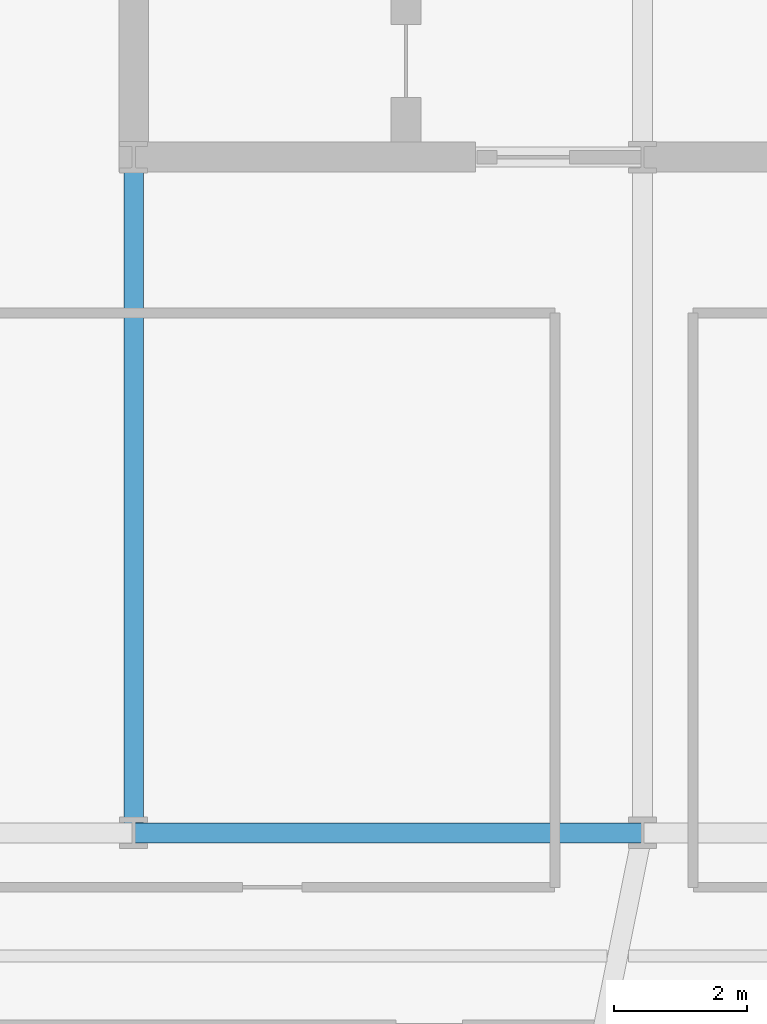
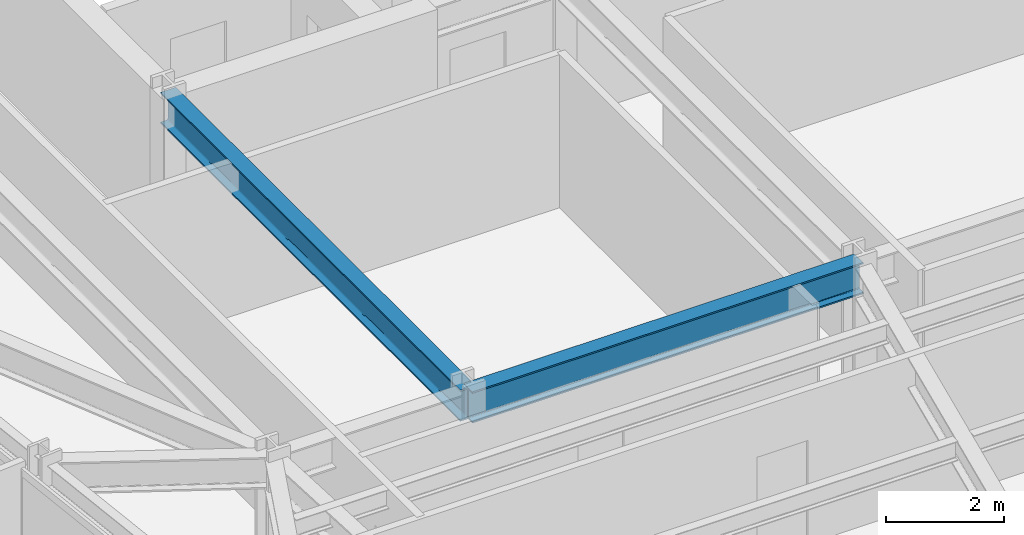
# One storey, part 7 of 32: 2 beams.
"""IFC4 building model written with IfcOpenShell, lengths in metres."""

from ifc_helpers import new_model, si_unit, direction, frame, origin, origin_2d, place, context, subcontext, project, spatial, i_section, extrude, material, material_profile, profile_set, type_object, element, save


model = new_model("IFC4")

# Units and contexts
model_context = context("Model", 3, precision=1e-05, world=origin(), true_north=direction((0.0, 1.0)))
body_context = subcontext(model_context, "Body", "Model", "MODEL_VIEW")
ifc_project = project(units=[si_unit("LENGTHUNIT", "METRE"), si_unit("AREAUNIT", "SQUARE_METRE"), si_unit("VOLUMEUNIT", "CUBIC_METRE"), si_unit("PLANEANGLEUNIT", "RADIAN"), si_unit("MASSUNIT", "GRAM", prefix="KILO")], contexts=[model_context])

# Site, building, storey
site_placement = place(None, origin())
site = spatial("IfcSite", under=ifc_project, at=site_placement, CompositionType="ELEMENT")
building_placement = place(site_placement, origin())
building = spatial("IfcBuilding", under=site, at=building_placement, Name="Yelkora Congress Tower", CompositionType="ELEMENT")
storey_placement = place(building_placement, frame((0.0, 0.0, 99.89990234375)))
storey = spatial("IfcBuildingStorey", under=building, at=storey_placement, Name="L26", CompositionType="ELEMENT", Elevation=99.89990234375)

# Beams
ifc_material = material(Name="Steel S355J2", Category="steel")
ifc_material_profile = material_profile(ifc_material, i_section(OverallWidth=0.300048828125, OverallDepth=0.64990234375, WebThickness=0.01611328125, FlangeThickness=0.031005859375, FilletRadius=0.027099609375, at=origin_2d()), Name="HEB 650")
ifc_profile_set = profile_set([ifc_material_profile], Name="Steel S355J2")
beam_type = type_object("IfcBeamType", Name="BM-GIRD-HEB650", PredefinedType="BEAM", material=ifc_profile_set)
beam_1_placement = place(storey_placement, frame((23.0400390625, 25.199951171875, 2.85498046875), z_axis=(1.0, 0.0, 0.0), x_axis=(0.0, 1.0, 0.0)))
element("IfcBeam", 1, at=beam_1_placement, inside=storey, type_object=beam_type, Name="L26 Spine Grid D Girder 2", PredefinedType="BEAM", context=body_context, shape_type="SweptSolid", body=[
    extrude(i_section(OverallWidth=0.300048828125, OverallDepth=0.64990234375, WebThickness=0.01611328125, FlangeThickness=0.031005859375, FilletRadius=0.027099609375, at=origin_2d()), origin(), (0.0, 0.0, 1.0), 7.679931640625),
])
beam_2_placement = place(storey_placement, frame((23.0400390625, 25.199951171875, 2.85498046875), z_axis=(0.0, 1.0, 0.0), x_axis=(-1.0, 0.0, 0.0)))
element("IfcBeam", 2, at=beam_2_placement, inside=storey, type_object=beam_type, Name="L26 Core Tie Girder MC-D1", PredefinedType="BEAM", context=body_context, shape_type="SweptSolid", body=[
    extrude(i_section(OverallWidth=0.300048828125, OverallDepth=0.64990234375, WebThickness=0.01611328125, FlangeThickness=0.031005859375, FilletRadius=0.027099609375, at=origin_2d()), origin(), (0.0, 0.0, 1.0), 10.199951171875),
])

save(model, "model.ifc")
